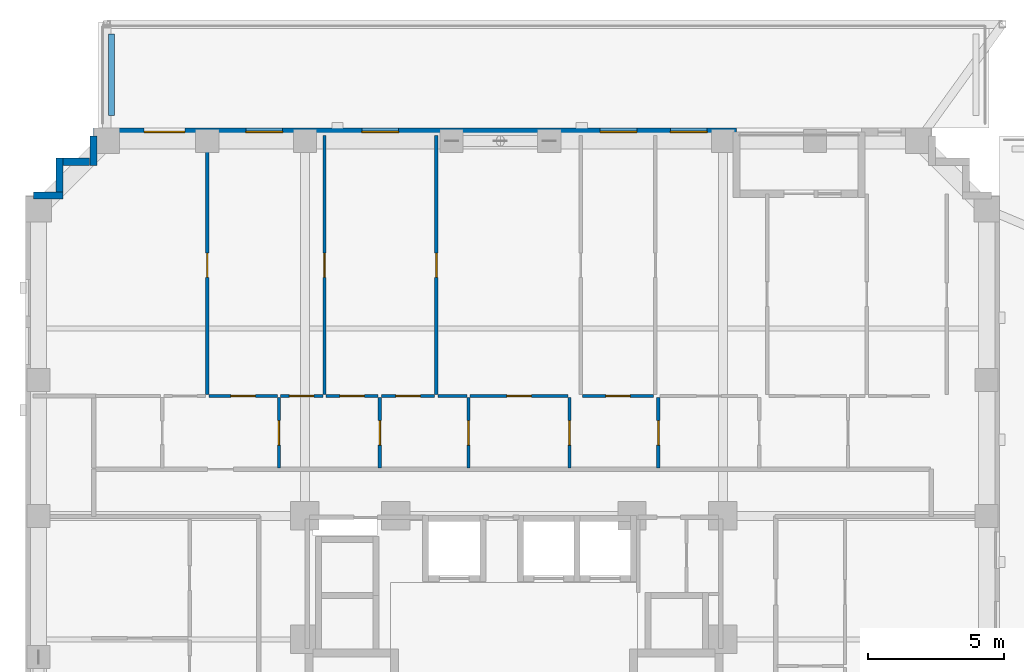
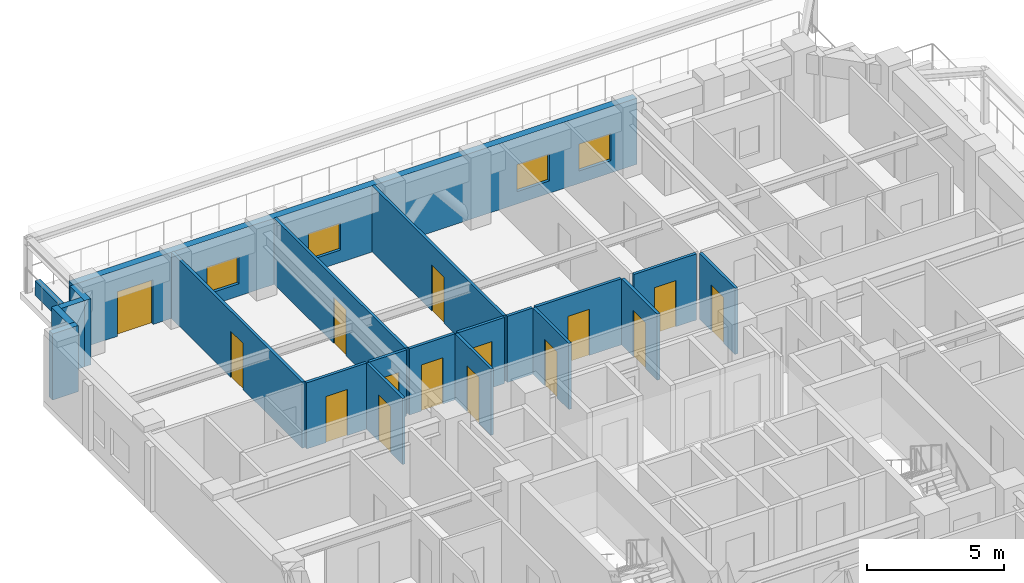
# One storey, part 11 of 16: 21 walls, 15 doors, 4 windows, 19 openings.
"""IFC4 building model written with IfcOpenShell, lengths in metres."""

from ifc_helpers import new_model, si_unit, derived_unit, direction, frame, frame_2d, origin, place, context, subcontext, project, spatial, rectangle, extrude, material, layer, layer_set, type_object, element, fill, save


model = new_model("IFC4")

# Units and contexts
model_context = context("Model", 3, precision=1e-05, world=origin(), true_north=direction((0.0, 1.0)))
body_context = subcontext(model_context, "Body", "Model", "MODEL_VIEW")
ifc_project = project(units=[si_unit("LENGTHUNIT", "METRE"), si_unit("AREAUNIT", "SQUARE_METRE"), si_unit("VOLUMEUNIT", "CUBIC_METRE"), si_unit("PLANEANGLEUNIT", "RADIAN"), si_unit("MASSUNIT", "GRAM", prefix="KILO"), derived_unit("THERMALTRANSMITTANCEUNIT", [(si_unit("MASSUNIT", "GRAM", prefix="KILO"), 1), (si_unit("TIMEUNIT", "SECOND"), -3), (si_unit("THERMODYNAMICTEMPERATUREUNIT", "KELVIN"), -1)])], contexts=[model_context])

# Site, building, storey
site_placement = place(None, origin())
site = spatial("IfcSite", under=ifc_project, at=site_placement, CompositionType="ELEMENT")
building_placement = place(site_placement, origin())
building = spatial("IfcBuilding", under=site, at=building_placement, Name="Korrvale Station Residences", CompositionType="ELEMENT")
storey_placement = place(building_placement, frame((0.0, 0.0, 75.10009765625)))
storey = spatial("IfcBuildingStorey", under=building, at=storey_placement, Name="L20", CompositionType="ELEMENT", Elevation=75.10009765625)

# Walls
ifc_material_1 = material(Name="Precast concrete C45/55", Category="concrete")
ifc_layer_1 = layer(ifc_material_1, 0.260009765625, Name="Precast concrete C45/55")
ifc_layer_set_1 = layer_set([ifc_layer_1], Name="Precast concrete C45/55")
wall_type_1 = type_object("IfcWallType", Name="WAL-EXT-LOG260", PredefinedType="SOLIDWALL", material=ifc_layer_set_1)
wall_1_placement = place(storey_placement, frame((7.802001953125, 40.800048828125, 0.0), z_axis=(0.0, 0.0, 1.0), x_axis=(1.0, 0.0, 0.0)))
element("IfcWall", 1, at=wall_1_placement, inside=storey, type_object=wall_type_1, Name="L20 Serrated Corner Precast Step NW-1", PredefinedType="SOLIDWALL", context=body_context, shape_type="SweptSolid", body=[
    extrude(rectangle(XDim=1.077880859375, YDim=0.260009765625, at=frame_2d((0.5390625, 0.0))), origin(), (0.0, 0.0, 1.0), 2.93994140625),
])
wall_2_placement = place(storey_placement, frame((8.75, 40.931884765625, 0.0), z_axis=(0.0, 0.0, 1.0), x_axis=(0.0, 1.0, 0.0)))
element("IfcWall", 2, at=wall_2_placement, inside=storey, type_object=wall_type_1, Name="L20 Serrated Corner Precast Step NW-2", PredefinedType="SOLIDWALL", context=body_context, shape_type="SweptSolid", body=[
    extrude(rectangle(XDim=1.248046875, YDim=0.260009765625, at=frame_2d((0.6240234375, 0.0))), origin(), (0.0, 0.0, 1.0), 2.93994140625),
])
wall_3_placement = place(storey_placement, frame((8.882080078125, 42.050048828125, 0.0), z_axis=(0.0, 0.0, 1.0), x_axis=(1.0, 0.0, 0.0)))
element("IfcWall", 3, at=wall_3_placement, inside=storey, type_object=wall_type_1, Name="L20 Serrated Corner Precast Step NW-3", PredefinedType="SOLIDWALL", context=body_context, shape_type="SweptSolid", body=[
    extrude(rectangle(XDim=0.98583984375, YDim=0.260009765625, at=frame_2d((0.492919921875, 0.0))), origin(), (0.0, 0.0, 1.0), 2.93994140625),
])
wall_4_placement = place(storey_placement, frame((10.0, 41.919921875, 0.0), z_axis=(0.0, 0.0, 1.0), x_axis=(0.0, 1.0, 0.0)))
element("IfcWall", 4, at=wall_4_placement, inside=storey, type_object=wall_type_1, Name="L20 Serrated Corner Precast Step NW-4", PredefinedType="SOLIDWALL", context=body_context, shape_type="SweptSolid", body=[
    extrude(rectangle(XDim=1.078125, YDim=0.260009765625, at=frame_2d((0.5390625, 0.0))), origin(), (0.0, 0.0, 1.0), 2.93994140625),
])

# Wall, openings, door, windows
ifc_layer_2 = layer(ifc_material_1, 0.300048828125, Name="Precast concrete C45/55")
ifc_layer_set_2 = layer_set([ifc_layer_2], Name="Precast concrete C45/55")
wall_type_2 = type_object("IfcWallType", Name="WAL-EXT-PC300", PredefinedType="SOLIDWALL", material=ifc_layer_set_2)
wall_5_placement = place(storey_placement, frame((10.0, 43.14990234375, 0.0), z_axis=(0.0, 0.0, 1.0), x_axis=(1.0, 0.0, 0.0)))
wall_5 = element("IfcWall", 5, at=wall_5_placement, inside=storey, type_object=wall_type_2, Name="L20 North Exterior Precast Wall 1", PredefinedType="SOLIDWALL", context=body_context, shape_type="SweptSolid", body=[
    extrude(rectangle(XDim=23.699951171875, YDim=0.300048828125, at=frame_2d((11.85009765625, 0.0))), origin(), (0.0, 0.0, 1.0), 2.93994140625),
])
opening_1_placement = place(wall_5_placement, frame((1.875, 0.0, 0.0)))
opening_1 = element("IfcOpeningElement", 6, at=opening_1_placement, cuts=wall_5, Name="Opening TD-01", PredefinedType="OPENING", context=body_context, shape_type="SweptSolid", body=[
    extrude(rectangle(XDim=1.5, YDim=1.98193359375, at=frame_2d((0.75, 0.990966796875))), frame((0.0, 0.16015625, 0.0), z_axis=(0.0, -1.0, 0.0), x_axis=(1.0, 0.0, 0.0)), (0.0, 0.0, 1.0), 0.320068359375),
])
opening_2_placement = place(wall_5_placement, frame((5.625, 0.0, 0.550048828125)))
opening_2 = element("IfcOpeningElement", 7, at=opening_2_placement, cuts=wall_5, Name="Opening W-10", PredefinedType="OPENING", context=body_context, shape_type="SweptSolid", body=[
    extrude(rectangle(XDim=1.35009765625, YDim=1.199951171875, at=frame_2d((0.675048828125, 0.60009765625))), frame((0.0, 0.16015625, 0.0), z_axis=(0.0, -1.0, 0.0), x_axis=(1.0, 0.0, 0.0)), (0.0, 0.0, 1.0), 0.320068359375),
])
opening_3_placement = place(wall_5_placement, frame((9.89990234375, 0.0, 0.550048828125)))
opening_3 = element("IfcOpeningElement", 8, at=opening_3_placement, cuts=wall_5, Name="Opening W-10", PredefinedType="OPENING", context=body_context, shape_type="SweptSolid", body=[
    extrude(rectangle(XDim=1.35009765625, YDim=1.199951171875, at=frame_2d((0.675048828125, 0.60009765625))), frame((0.0, 0.16015625, 0.0), z_axis=(0.0, -1.0, 0.0), x_axis=(1.0, 0.0, 0.0)), (0.0, 0.0, 1.0), 0.320068359375),
])
opening_4_placement = place(wall_5_placement, frame((18.675048828125, 0.0, 0.550048828125)))
opening_4 = element("IfcOpeningElement", 9, at=opening_4_placement, cuts=wall_5, Name="Opening W-10", PredefinedType="OPENING", context=body_context, shape_type="SweptSolid", body=[
    extrude(rectangle(XDim=1.35009765625, YDim=1.199951171875, at=frame_2d((0.675048828125, 0.60009765625))), frame((0.0, 0.16015625, 0.0), z_axis=(0.0, -1.0, 0.0), x_axis=(1.0, 0.0, 0.0)), (0.0, 0.0, 1.0), 0.320068359375),
])
opening_5_placement = place(wall_5_placement, frame((21.264892578125, 0.0, 0.550048828125)))
opening_5 = element("IfcOpeningElement", 10, at=opening_5_placement, cuts=wall_5, Name="Opening W-10", PredefinedType="OPENING", context=body_context, shape_type="SweptSolid", body=[
    extrude(rectangle(XDim=1.35009765625, YDim=1.199951171875, at=frame_2d((0.675048828125, 0.60009765625))), frame((0.0, 0.16015625, 0.0), z_axis=(0.0, -1.0, 0.0), x_axis=(1.0, 0.0, 0.0)), (0.0, 0.0, 1.0), 0.320068359375),
])
ifc_material_2 = material(Name="Exterior thermally broken aluminium glazed terrace double door", Category="aluminium")
door_type_1 = type_object("IfcDoorType", Name="DR-EXT-TER", OperationType="DOUBLE_SWING_LEFT", PredefinedType="DOOR", material=ifc_material_2)
door_1_placement = place(opening_1_placement, origin())
door_1 = element("IfcDoor", 11, at=door_1_placement, inside=storey, type_object=door_type_1, Name="L20 North Setback Terrace Door", OperationType="DOUBLE_SWING_LEFT", OverallHeight=1.98193359375, OverallWidth=1.5, PredefinedType="DOOR", context=body_context, shape_type="SweptSolid", body=[
    extrude(rectangle(XDim=1.5, YDim=1.98193359375, at=frame_2d((0.75, 0.990966796875))), frame((0.0, 0.02490234375, 0.0), z_axis=(0.0, -1.0, 0.0), x_axis=(1.0, 0.0, 0.0)), (0.0, 0.0, 1.0), 0.050048828125),
])
fill(opening_1, door_1)
ifc_material_3 = material(Name="Thermally broken aluminium frame with triple low-e glazing", Category="aluminium")
window_type = type_object("IfcWindowType", Name="WIN-W10", PartitioningType="SINGLE_PANEL", PredefinedType="WINDOW", material=ifc_material_3)
window_1_placement = place(opening_2_placement, origin())
window_1 = element("IfcWindow", 12, at=window_1_placement, inside=storey, type_object=window_type, Name="L20 Punched Window 12", OverallHeight=1.199951171875, OverallWidth=1.35009765625, PartitioningType="SINGLE_PANEL", PredefinedType="WINDOW", context=body_context, shape_type="SweptSolid", body=[
    extrude(rectangle(XDim=1.35009765625, YDim=1.199951171875, at=frame_2d((0.675048828125, 0.60009765625))), frame((0.0, 0.030029296875, 0.0), z_axis=(0.0, -1.0, 0.0), x_axis=(1.0, 0.0, 0.0)), (0.0, 0.0, 1.0), 0.06005859375),
])
fill(opening_2, window_1)
window_2_placement = place(opening_3_placement, origin())
window_2 = element("IfcWindow", 13, at=window_2_placement, inside=storey, type_object=window_type, Name="L20 Punched Window 13", OverallHeight=1.199951171875, OverallWidth=1.35009765625, PartitioningType="SINGLE_PANEL", PredefinedType="WINDOW", context=body_context, shape_type="SweptSolid", body=[
    extrude(rectangle(XDim=1.35009765625, YDim=1.199951171875, at=frame_2d((0.675048828125, 0.60009765625))), frame((0.0, 0.030029296875, 0.0), z_axis=(0.0, -1.0, 0.0), x_axis=(1.0, 0.0, 0.0)), (0.0, 0.0, 1.0), 0.06005859375),
])
fill(opening_3, window_2)
window_3_placement = place(opening_4_placement, origin())
window_3 = element("IfcWindow", 14, at=window_3_placement, inside=storey, type_object=window_type, Name="L20 Punched Window 14", OverallHeight=1.199951171875, OverallWidth=1.35009765625, PartitioningType="SINGLE_PANEL", PredefinedType="WINDOW", context=body_context, shape_type="SweptSolid", body=[
    extrude(rectangle(XDim=1.35009765625, YDim=1.199951171875, at=frame_2d((0.675048828125, 0.60009765625))), frame((0.0, 0.030029296875, 0.0), z_axis=(0.0, -1.0, 0.0), x_axis=(1.0, 0.0, 0.0)), (0.0, 0.0, 1.0), 0.06005859375),
])
fill(opening_4, window_3)
window_4_placement = place(opening_5_placement, origin())
window_4 = element("IfcWindow", 15, at=window_4_placement, inside=storey, type_object=window_type, Name="L20 Punched Window 15", OverallHeight=1.199951171875, OverallWidth=1.35009765625, PartitioningType="SINGLE_PANEL", PredefinedType="WINDOW", context=body_context, shape_type="SweptSolid", body=[
    extrude(rectangle(XDim=1.35009765625, YDim=1.199951171875, at=frame_2d((0.675048828125, 0.60009765625))), frame((0.0, 0.030029296875, 0.0), z_axis=(0.0, -1.0, 0.0), x_axis=(1.0, 0.0, 0.0)), (0.0, 0.0, 1.0), 0.06005859375),
])
fill(opening_5, window_4)

# Wall
ifc_layer_3 = layer(ifc_material_1, 0.219970703125, Name="Precast concrete C45/55")
ifc_layer_set_3 = layer_set([ifc_layer_3], Name="Precast concrete C45/55")
wall_type_3 = type_object("IfcWallType", Name="WAL-PAR-220", PredefinedType="PARAPET", material=ifc_layer_set_3)
wall_6_placement = place(storey_placement, frame((10.679931640625, 43.75, 0.0), z_axis=(0.0, 0.0, 1.0), x_axis=(0.0, 1.0, 0.0)))
element("IfcWall", 16, at=wall_6_placement, inside=storey, type_object=wall_type_3, Name="L20 Terrace Planter Parapet TER-L20-N-W", PredefinedType="PARAPET", context=body_context, shape_type="SweptSolid", body=[
    extrude(rectangle(XDim=3.0, YDim=0.219970703125, at=frame_2d((1.5, 0.0))), origin(), (0.0, 0.0, 1.0), 0.64990234375),
])

# Wall, opening, door
ifc_material_4 = material(Name="Acoustic steel-stud gypsum board partition", Category="steel")
ifc_layer_4 = layer(ifc_material_4, 0.1201171875, Name="Acoustic steel-stud gypsum board partition")
ifc_layer_set_4 = layer_set([ifc_layer_4], Name="Acoustic steel-stud gypsum board partition")
wall_type_4 = type_object("IfcWallType", Name="WAL-PART-125", PredefinedType="PARTITIONING", material=ifc_layer_set_4)
wall_7_placement = place(storey_placement, frame((16.840087890625, 30.760009765625, 0.0), z_axis=(0.0, 0.0, 1.0), x_axis=(0.0, 1.0, 0.0)))
wall_7 = element("IfcWall", 17, at=wall_7_placement, inside=storey, type_object=wall_type_4, Name="L20 Suite Partition U04-V12", PredefinedType="PARTITIONING", context=body_context, shape_type="SweptSolid", body=[
    extrude(rectangle(XDim=2.60009765625, YDim=0.1201171875, at=frame_2d((1.300048828125, 0.0))), origin(), (0.0, 0.0, 1.0), 2.93994140625),
])
opening_6_placement = place(wall_7_placement, frame((0.85009765625, 0.0, 0.0)))
opening_6 = element("IfcOpeningElement", 18, at=opening_6_placement, cuts=wall_7, Name="Opening DI-900", PredefinedType="OPENING", context=body_context, shape_type="SweptSolid", body=[
    extrude(rectangle(XDim=0.89990234375, YDim=2.050048828125, at=frame_2d((0.449951171875, 1.02490234375))), frame((0.0, 0.070068359375, 0.0), z_axis=(0.0, -1.0, 0.0), x_axis=(1.0, 0.0, 0.0)), (0.0, 0.0, 1.0), 0.14013671875),
])
ifc_material_5 = material(Name="Painted solid-core timber interior room door", Category="wood")
door_type_2 = type_object("IfcDoorType", Name="DR-INT-900", OperationType="NOTDEFINED", PredefinedType="DOOR", material=ifc_material_5)
door_2_placement = place(opening_6_placement, origin())
door_2 = element("IfcDoor", 19, at=door_2_placement, inside=storey, type_object=door_type_2, Name="L20 Apartment 3BR L20-U04 Kitchen Door", OperationType="SINGLE_SWING_LEFT", OverallHeight=2.050048828125, OverallWidth=0.89990234375, PredefinedType="DOOR", context=body_context, shape_type="SweptSolid", body=[
    extrude(rectangle(XDim=0.89990234375, YDim=2.050048828125, at=frame_2d((0.449951171875, 1.02490234375))), frame((0.0, 0.02490234375, 0.0), z_axis=(0.0, -1.0, 0.0), x_axis=(1.0, 0.0, 0.0)), (0.0, 0.0, 1.0), 0.050048828125),
])
fill(opening_6, door_2)

wall_8_placement = place(storey_placement, frame((14.260009765625, 33.419921875, 0.0), z_axis=(0.0, 0.0, 1.0), x_axis=(1.0, 0.0, 0.0)))
wall_8 = element("IfcWall", 20, at=wall_8_placement, inside=storey, type_object=wall_type_4, Name="L20 Suite Partition U04-H110", PredefinedType="PARTITIONING", context=body_context, shape_type="SweptSolid", body=[
    extrude(rectangle(XDim=2.52001953125, YDim=0.1201171875, at=frame_2d((1.260009765625, 0.0))), origin(), (0.0, 0.0, 1.0), 2.93994140625),
])
opening_7_placement = place(wall_8_placement, frame((0.81005859375, 0.0, 0.0)))
opening_7 = element("IfcOpeningElement", 21, at=opening_7_placement, cuts=wall_8, Name="Opening DI-900", PredefinedType="OPENING", context=body_context, shape_type="SweptSolid", body=[
    extrude(rectangle(XDim=0.89990234375, YDim=2.050048828125, at=frame_2d((0.449951171875, 1.02490234375))), frame((0.0, 0.070068359375, 0.0), z_axis=(0.0, -1.0, 0.0), x_axis=(1.0, 0.0, 0.0)), (0.0, 0.0, 1.0), 0.14013671875),
])
door_3_placement = place(opening_7_placement, origin())
door_3 = element("IfcDoor", 22, at=door_3_placement, inside=storey, type_object=door_type_2, Name="L20 Apartment 3BR L20-U04 Kitchen Door", OperationType="SINGLE_SWING_LEFT", OverallHeight=2.050048828125, OverallWidth=0.89990234375, PredefinedType="DOOR", context=body_context, shape_type="SweptSolid", body=[
    extrude(rectangle(XDim=0.89990234375, YDim=2.050048828125, at=frame_2d((0.449951171875, 1.02490234375))), frame((0.0, 0.02490234375, 0.0), z_axis=(0.0, -1.0, 0.0), x_axis=(1.0, 0.0, 0.0)), (0.0, 0.0, 1.0), 0.050048828125),
])
fill(opening_7, door_3)

wall_9_placement = place(storey_placement, frame((20.56005859375, 30.760009765625, 0.0), z_axis=(0.0, 0.0, 1.0), x_axis=(0.0, 1.0, 0.0)))
wall_9 = element("IfcWall", 23, at=wall_9_placement, inside=storey, type_object=wall_type_4, Name="L20 Suite Partition U04-V23", PredefinedType="PARTITIONING", context=body_context, shape_type="SweptSolid", body=[
    extrude(rectangle(XDim=2.60009765625, YDim=0.1201171875, at=frame_2d((1.300048828125, 0.0))), origin(), (0.0, 0.0, 1.0), 2.93994140625),
])
opening_8_placement = place(wall_9_placement, frame((0.85009765625, 0.0, 0.0)))
opening_8 = element("IfcOpeningElement", 24, at=opening_8_placement, cuts=wall_9, Name="Opening DI-900", PredefinedType="OPENING", context=body_context, shape_type="SweptSolid", body=[
    extrude(rectangle(XDim=0.89990234375, YDim=2.050048828125, at=frame_2d((0.449951171875, 1.02490234375))), frame((0.0, 0.070068359375, 0.0), z_axis=(0.0, -1.0, 0.0), x_axis=(1.0, 0.0, 0.0)), (0.0, 0.0, 1.0), 0.14013671875),
])
door_4_placement = place(opening_8_placement, origin())
door_4 = element("IfcDoor", 25, at=door_4_placement, inside=storey, type_object=door_type_2, Name="L20 Apartment 3BR L20-U04 Utility and Laundry Room Door", OperationType="SINGLE_SWING_RIGHT", OverallHeight=2.050048828125, OverallWidth=0.89990234375, PredefinedType="DOOR", context=body_context, shape_type="SweptSolid", body=[
    extrude(rectangle(XDim=0.89990234375, YDim=2.050048828125, at=frame_2d((0.449951171875, 1.02490234375))), frame((0.0, 0.02490234375, 0.0), z_axis=(0.0, -1.0, 0.0), x_axis=(1.0, 0.0, 0.0)), (0.0, 0.0, 1.0), 0.050048828125),
])
fill(opening_8, door_4)

wall_10_placement = place(storey_placement, frame((16.89990234375, 33.419921875, 0.0), z_axis=(0.0, 0.0, 1.0), x_axis=(1.0, 0.0, 0.0)))
wall_10 = element("IfcWall", 26, at=wall_10_placement, inside=storey, type_object=wall_type_4, Name="L20 Suite Partition U04-H210", PredefinedType="PARTITIONING", context=body_context, shape_type="SweptSolid", body=[
    extrude(rectangle(XDim=1.56005859375, YDim=0.1201171875, at=frame_2d((0.780029296875, 0.0))), origin(), (0.0, 0.0, 1.0), 2.93994140625),
])
opening_9_placement = place(wall_10_placement, frame((0.330078125, 0.0, 0.0)))
opening_9 = element("IfcOpeningElement", 27, at=opening_9_placement, cuts=wall_10, Name="Opening DI-900", PredefinedType="OPENING", context=body_context, shape_type="SweptSolid", body=[
    extrude(rectangle(XDim=0.89990234375, YDim=2.050048828125, at=frame_2d((0.449951171875, 1.02490234375))), frame((0.0, 0.070068359375, 0.0), z_axis=(0.0, -1.0, 0.0), x_axis=(1.0, 0.0, 0.0)), (0.0, 0.0, 1.0), 0.14013671875),
])
door_5_placement = place(opening_9_placement, origin())
door_5 = element("IfcDoor", 28, at=door_5_placement, inside=storey, type_object=door_type_2, Name="L20 Apartment 3BR L20-U04 Utility and Laundry Room Door", OperationType="SINGLE_SWING_LEFT", OverallHeight=2.050048828125, OverallWidth=0.89990234375, PredefinedType="DOOR", context=body_context, shape_type="SweptSolid", body=[
    extrude(rectangle(XDim=0.89990234375, YDim=2.050048828125, at=frame_2d((0.449951171875, 1.02490234375))), frame((0.0, 0.02490234375, 0.0), z_axis=(0.0, -1.0, 0.0), x_axis=(1.0, 0.0, 0.0)), (0.0, 0.0, 1.0), 0.050048828125),
])
fill(opening_9, door_5)

wall_11_placement = place(storey_placement, frame((18.580078125, 33.419921875, 0.0), z_axis=(0.0, 0.0, 1.0), x_axis=(1.0, 0.0, 0.0)))
wall_11 = element("IfcWall", 29, at=wall_11_placement, inside=storey, type_object=wall_type_4, Name="L20 Suite Partition U04-H211", PredefinedType="PARTITIONING", context=body_context, shape_type="SweptSolid", body=[
    extrude(rectangle(XDim=1.919921875, YDim=0.1201171875, at=frame_2d((0.9599609375, 0.0))), origin(), (0.0, 0.0, 1.0), 2.93994140625),
])
opening_10_placement = place(wall_11_placement, frame((0.510009765625, 0.0, 0.0)))
opening_10 = element("IfcOpeningElement", 30, at=opening_10_placement, cuts=wall_11, Name="Opening DI-900", PredefinedType="OPENING", context=body_context, shape_type="SweptSolid", body=[
    extrude(rectangle(XDim=0.89990234375, YDim=2.050048828125, at=frame_2d((0.449951171875, 1.02490234375))), frame((0.0, 0.070068359375, 0.0), z_axis=(0.0, -1.0, 0.0), x_axis=(1.0, 0.0, 0.0)), (0.0, 0.0, 1.0), 0.14013671875),
])
door_6_placement = place(opening_10_placement, origin())
door_6 = element("IfcDoor", 31, at=door_6_placement, inside=storey, type_object=door_type_2, Name="L20 Apartment 3BR L20-U04 Utility and Laundry Room Door", OperationType="SINGLE_SWING_RIGHT", OverallHeight=2.050048828125, OverallWidth=0.89990234375, PredefinedType="DOOR", context=body_context, shape_type="SweptSolid", body=[
    extrude(rectangle(XDim=0.89990234375, YDim=2.050048828125, at=frame_2d((0.449951171875, 1.02490234375))), frame((0.0, 0.02490234375, 0.0), z_axis=(0.0, -1.0, 0.0), x_axis=(1.0, 0.0, 0.0)), (0.0, 0.0, 1.0), 0.050048828125),
])
fill(opening_10, door_6)

wall_12_placement = place(storey_placement, frame((23.830078125, 30.760009765625, 0.0), z_axis=(0.0, 0.0, 1.0), x_axis=(0.0, 1.0, 0.0)))
wall_12 = element("IfcWall", 32, at=wall_12_placement, inside=storey, type_object=wall_type_4, Name="L20 Suite Partition U04-V34", PredefinedType="PARTITIONING", context=body_context, shape_type="SweptSolid", body=[
    extrude(rectangle(XDim=2.60009765625, YDim=0.1201171875, at=frame_2d((1.300048828125, 0.0))), origin(), (0.0, 0.0, 1.0), 2.93994140625),
])
opening_11_placement = place(wall_12_placement, frame((0.85009765625, 0.0, 0.0)))
opening_11 = element("IfcOpeningElement", 33, at=opening_11_placement, cuts=wall_12, Name="Opening DI-900", PredefinedType="OPENING", context=body_context, shape_type="SweptSolid", body=[
    extrude(rectangle(XDim=0.89990234375, YDim=2.050048828125, at=frame_2d((0.449951171875, 1.02490234375))), frame((0.0, 0.070068359375, 0.0), z_axis=(0.0, -1.0, 0.0), x_axis=(1.0, 0.0, 0.0)), (0.0, 0.0, 1.0), 0.14013671875),
])
door_7_placement = place(opening_11_placement, origin())
door_7 = element("IfcDoor", 34, at=door_7_placement, inside=storey, type_object=door_type_2, Name="L20 Apartment 3BR L20-U04 Storage Closet 2 Door", OperationType="SINGLE_SWING_LEFT", OverallHeight=2.050048828125, OverallWidth=0.89990234375, PredefinedType="DOOR", context=body_context, shape_type="SweptSolid", body=[
    extrude(rectangle(XDim=0.89990234375, YDim=2.050048828125, at=frame_2d((0.449951171875, 1.02490234375))), frame((0.0, 0.02490234375, 0.0), z_axis=(0.0, -1.0, 0.0), x_axis=(1.0, 0.0, 0.0)), (0.0, 0.0, 1.0), 0.050048828125),
])
fill(opening_11, door_7)

wall_13_placement = place(storey_placement, frame((20.6201171875, 33.419921875, 0.0), z_axis=(0.0, 0.0, 1.0), x_axis=(1.0, 0.0, 0.0)))
wall_13 = element("IfcWall", 35, at=wall_13_placement, inside=storey, type_object=wall_type_4, Name="L20 Suite Partition U04-H311", PredefinedType="PARTITIONING", context=body_context, shape_type="SweptSolid", body=[
    extrude(rectangle(XDim=1.9599609375, YDim=0.1201171875, at=frame_2d((0.97998046875, 0.0))), origin(), (0.0, 0.0, 1.0), 2.93994140625),
])
opening_12_placement = place(wall_13_placement, frame((0.530029296875, 0.0, 0.0)))
opening_12 = element("IfcOpeningElement", 36, at=opening_12_placement, cuts=wall_13, Name="Opening DI-900", PredefinedType="OPENING", context=body_context, shape_type="SweptSolid", body=[
    extrude(rectangle(XDim=0.89990234375, YDim=2.050048828125, at=frame_2d((0.449951171875, 1.02490234375))), frame((0.0, 0.070068359375, 0.0), z_axis=(0.0, -1.0, 0.0), x_axis=(1.0, 0.0, 0.0)), (0.0, 0.0, 1.0), 0.14013671875),
])
door_8_placement = place(opening_12_placement, origin())
door_8 = element("IfcDoor", 37, at=door_8_placement, inside=storey, type_object=door_type_2, Name="L20 Apartment 3BR L20-U04 Storage Closet 2 Door", OperationType="SINGLE_SWING_RIGHT", OverallHeight=2.050048828125, OverallWidth=0.89990234375, PredefinedType="DOOR", context=body_context, shape_type="SweptSolid", body=[
    extrude(rectangle(XDim=0.89990234375, YDim=2.050048828125, at=frame_2d((0.449951171875, 1.02490234375))), frame((0.0, 0.02490234375, 0.0), z_axis=(0.0, -1.0, 0.0), x_axis=(1.0, 0.0, 0.0)), (0.0, 0.0, 1.0), 0.050048828125),
])
fill(opening_12, door_8)

# Wall
wall_14_placement = place(storey_placement, frame((22.699951171875, 33.419921875, 0.0), z_axis=(0.0, 0.0, 1.0), x_axis=(1.0, 0.0, 0.0)))
element("IfcWall", 38, at=wall_14_placement, inside=storey, type_object=wall_type_4, Name="L20 Suite Partition U04-H312", PredefinedType="PARTITIONING", context=body_context, shape_type="SweptSolid", body=[
    extrude(rectangle(XDim=1.070068359375, YDim=0.1201171875, at=frame_2d((0.53515625, 0.0))), origin(), (0.0, 0.0, 1.0), 2.93994140625),
])

# Wall, opening, door
wall_15_placement = place(storey_placement, frame((27.550048828125, 30.760009765625, 0.0), z_axis=(0.0, 0.0, 1.0), x_axis=(0.0, 1.0, 0.0)))
wall_15 = element("IfcWall", 39, at=wall_15_placement, inside=storey, type_object=wall_type_4, Name="L20 Suite Partition U04-V45", PredefinedType="PARTITIONING", context=body_context, shape_type="SweptSolid", body=[
    extrude(rectangle(XDim=2.60009765625, YDim=0.1201171875, at=frame_2d((1.300048828125, 0.0))), origin(), (0.0, 0.0, 1.0), 2.93994140625),
])
opening_13_placement = place(wall_15_placement, frame((0.85009765625, 0.0, 0.0)))
opening_13 = element("IfcOpeningElement", 40, at=opening_13_placement, cuts=wall_15, Name="Opening DI-900", PredefinedType="OPENING", context=body_context, shape_type="SweptSolid", body=[
    extrude(rectangle(XDim=0.89990234375, YDim=2.050048828125, at=frame_2d((0.449951171875, 1.02490234375))), frame((0.0, 0.070068359375, 0.0), z_axis=(0.0, -1.0, 0.0), x_axis=(1.0, 0.0, 0.0)), (0.0, 0.0, 1.0), 0.14013671875),
])
door_9_placement = place(opening_13_placement, origin())
door_9 = element("IfcDoor", 41, at=door_9_placement, inside=storey, type_object=door_type_2, Name="L20 Apartment 3BR L20-U04 Storage Closet 3 Door", OperationType="SINGLE_SWING_LEFT", OverallHeight=2.050048828125, OverallWidth=0.89990234375, PredefinedType="DOOR", context=body_context, shape_type="SweptSolid", body=[
    extrude(rectangle(XDim=0.89990234375, YDim=2.050048828125, at=frame_2d((0.449951171875, 1.02490234375))), frame((0.0, 0.02490234375, 0.0), z_axis=(0.0, -1.0, 0.0), x_axis=(1.0, 0.0, 0.0)), (0.0, 0.0, 1.0), 0.050048828125),
])
fill(opening_13, door_9)

wall_16_placement = place(storey_placement, frame((23.889892578125, 33.419921875, 0.0), z_axis=(0.0, 0.0, 1.0), x_axis=(1.0, 0.0, 0.0)))
wall_16 = element("IfcWall", 42, at=wall_16_placement, inside=storey, type_object=wall_type_4, Name="L20 Suite Partition U04-H412", PredefinedType="PARTITIONING", context=body_context, shape_type="SweptSolid", body=[
    extrude(rectangle(XDim=3.60009765625, YDim=0.1201171875, at=frame_2d((1.800048828125, 0.0))), origin(), (0.0, 0.0, 1.0), 2.93994140625),
])
opening_14_placement = place(wall_16_placement, frame((1.35009765625, 0.0, 0.0)))
opening_14 = element("IfcOpeningElement", 43, at=opening_14_placement, cuts=wall_16, Name="Opening DI-900", PredefinedType="OPENING", context=body_context, shape_type="SweptSolid", body=[
    extrude(rectangle(XDim=0.89990234375, YDim=2.050048828125, at=frame_2d((0.449951171875, 1.02490234375))), frame((0.0, 0.070068359375, 0.0), z_axis=(0.0, -1.0, 0.0), x_axis=(1.0, 0.0, 0.0)), (0.0, 0.0, 1.0), 0.14013671875),
])
door_10_placement = place(opening_14_placement, origin())
door_10 = element("IfcDoor", 44, at=door_10_placement, inside=storey, type_object=door_type_2, Name="L20 Apartment 3BR L20-U04 Storage Closet 3 Door", OperationType="SINGLE_SWING_RIGHT", OverallHeight=2.050048828125, OverallWidth=0.89990234375, PredefinedType="DOOR", context=body_context, shape_type="SweptSolid", body=[
    extrude(rectangle(XDim=0.89990234375, YDim=2.050048828125, at=frame_2d((0.449951171875, 1.02490234375))), frame((0.0, 0.02490234375, 0.0), z_axis=(0.0, -1.0, 0.0), x_axis=(1.0, 0.0, 0.0)), (0.0, 0.0, 1.0), 0.050048828125),
])
fill(opening_14, door_10)

wall_17_placement = place(storey_placement, frame((30.820068359375, 30.760009765625, 0.0), z_axis=(0.0, 0.0, 1.0), x_axis=(0.0, 1.0, 0.0)))
wall_17 = element("IfcWall", 45, at=wall_17_placement, inside=storey, type_object=wall_type_4, Name="L20 Suite Partition U04-V56", PredefinedType="PARTITIONING", context=body_context, shape_type="SweptSolid", body=[
    extrude(rectangle(XDim=2.60009765625, YDim=0.1201171875, at=frame_2d((1.300048828125, 0.0))), origin(), (0.0, 0.0, 1.0), 2.93994140625),
])
opening_15_placement = place(wall_17_placement, frame((0.85009765625, 0.0, 0.0)))
opening_15 = element("IfcOpeningElement", 46, at=opening_15_placement, cuts=wall_17, Name="Opening DI-900", PredefinedType="OPENING", context=body_context, shape_type="SweptSolid", body=[
    extrude(rectangle(XDim=0.89990234375, YDim=2.050048828125, at=frame_2d((0.449951171875, 1.02490234375))), frame((0.0, 0.070068359375, 0.0), z_axis=(0.0, -1.0, 0.0), x_axis=(1.0, 0.0, 0.0)), (0.0, 0.0, 1.0), 0.14013671875),
])
door_11_placement = place(opening_15_placement, origin())
door_11 = element("IfcDoor", 47, at=door_11_placement, inside=storey, type_object=door_type_2, Name="L20 Apartment 3BR L20-U04 Storage Closet 4 Door", OperationType="SINGLE_SWING_LEFT", OverallHeight=2.050048828125, OverallWidth=0.89990234375, PredefinedType="DOOR", context=body_context, shape_type="SweptSolid", body=[
    extrude(rectangle(XDim=0.89990234375, YDim=2.050048828125, at=frame_2d((0.449951171875, 1.02490234375))), frame((0.0, 0.02490234375, 0.0), z_axis=(0.0, -1.0, 0.0), x_axis=(1.0, 0.0, 0.0)), (0.0, 0.0, 1.0), 0.050048828125),
])
fill(opening_15, door_11)

wall_18_placement = place(storey_placement, frame((28.02001953125, 33.419921875, 0.0), z_axis=(0.0, 0.0, 1.0), x_axis=(1.0, 0.0, 0.0)))
wall_18 = element("IfcWall", 48, at=wall_18_placement, inside=storey, type_object=wall_type_4, Name="L20 Suite Partition U04-H513", PredefinedType="PARTITIONING", context=body_context, shape_type="SweptSolid", body=[
    extrude(rectangle(XDim=2.6298828125, YDim=0.1201171875, at=frame_2d((1.31494140625, 0.0))), origin(), (0.0, 0.0, 1.0), 2.93994140625),
])
opening_16_placement = place(wall_18_placement, frame((0.864990234375, 0.0, 0.0)))
opening_16 = element("IfcOpeningElement", 49, at=opening_16_placement, cuts=wall_18, Name="Opening DI-900", PredefinedType="OPENING", context=body_context, shape_type="SweptSolid", body=[
    extrude(rectangle(XDim=0.89990234375, YDim=2.050048828125, at=frame_2d((0.449951171875, 1.02490234375))), frame((0.0, 0.070068359375, 0.0), z_axis=(0.0, -1.0, 0.0), x_axis=(1.0, 0.0, 0.0)), (0.0, 0.0, 1.0), 0.14013671875),
])
door_12_placement = place(opening_16_placement, origin())
door_12 = element("IfcDoor", 50, at=door_12_placement, inside=storey, type_object=door_type_2, Name="L20 Apartment 3BR L20-U04 Storage Closet 4 Door", OperationType="SINGLE_SWING_RIGHT", OverallHeight=2.050048828125, OverallWidth=0.89990234375, PredefinedType="DOOR", context=body_context, shape_type="SweptSolid", body=[
    extrude(rectangle(XDim=0.89990234375, YDim=2.050048828125, at=frame_2d((0.449951171875, 1.02490234375))), frame((0.0, 0.02490234375, 0.0), z_axis=(0.0, -1.0, 0.0), x_axis=(1.0, 0.0, 0.0)), (0.0, 0.0, 1.0), 0.050048828125),
])
fill(opening_16, door_12)

wall_19_placement = place(storey_placement, frame((14.199951171875, 33.47998046875, 0.0), z_axis=(0.0, 0.0, 1.0), x_axis=(0.0, 1.0, 0.0)))
wall_19 = element("IfcWall", 51, at=wall_19_placement, inside=storey, type_object=wall_type_4, Name="L20 Suite Partition U04-V910", PredefinedType="PARTITIONING", context=body_context, shape_type="SweptSolid", body=[
    extrude(rectangle(XDim=9.5400390625, YDim=0.1201171875, at=frame_2d((4.77001953125, 0.0))), origin(), (0.0, 0.0, 1.0), 2.93994140625),
])
opening_17_placement = place(wall_19_placement, frame((4.304931640625, 0.0, 0.0)))
opening_17 = element("IfcOpeningElement", 52, at=opening_17_placement, cuts=wall_19, Name="Opening DI-900", PredefinedType="OPENING", context=body_context, shape_type="SweptSolid", body=[
    extrude(rectangle(XDim=0.89990234375, YDim=2.050048828125, at=frame_2d((0.449951171875, 1.02490234375))), frame((0.0, 0.070068359375, 0.0), z_axis=(0.0, -1.0, 0.0), x_axis=(1.0, 0.0, 0.0)), (0.0, 0.0, 1.0), 0.14013671875),
])
door_13_placement = place(opening_17_placement, origin())
door_13 = element("IfcDoor", 53, at=door_13_placement, inside=storey, type_object=door_type_2, Name="L20 Apartment 3BR L20-U04 Living and Dining Room Door", OperationType="SINGLE_SWING_RIGHT", OverallHeight=2.050048828125, OverallWidth=0.89990234375, PredefinedType="DOOR", context=body_context, shape_type="SweptSolid", body=[
    extrude(rectangle(XDim=0.89990234375, YDim=2.050048828125, at=frame_2d((0.449951171875, 1.02490234375))), frame((0.0, 0.02490234375, 0.0), z_axis=(0.0, -1.0, 0.0), x_axis=(1.0, 0.0, 0.0)), (0.0, 0.0, 1.0), 0.050048828125),
])
fill(opening_17, door_13)

wall_20_placement = place(storey_placement, frame((18.52001953125, 33.47998046875, 0.0), z_axis=(0.0, 0.0, 1.0), x_axis=(0.0, 1.0, 0.0)))
wall_20 = element("IfcWall", 54, at=wall_20_placement, inside=storey, type_object=wall_type_4, Name="L20 Suite Partition U04-V1011", PredefinedType="PARTITIONING", context=body_context, shape_type="SweptSolid", body=[
    extrude(rectangle(XDim=9.5400390625, YDim=0.1201171875, at=frame_2d((4.77001953125, 0.0))), origin(), (0.0, 0.0, 1.0), 2.93994140625),
])
opening_18_placement = place(wall_20_placement, frame((4.304931640625, 0.0, 0.0)))
opening_18 = element("IfcOpeningElement", 55, at=opening_18_placement, cuts=wall_20, Name="Opening DI-900", PredefinedType="OPENING", context=body_context, shape_type="SweptSolid", body=[
    extrude(rectangle(XDim=0.89990234375, YDim=2.050048828125, at=frame_2d((0.449951171875, 1.02490234375))), frame((0.0, 0.070068359375, 0.0), z_axis=(0.0, -1.0, 0.0), x_axis=(1.0, 0.0, 0.0)), (0.0, 0.0, 1.0), 0.14013671875),
])
door_14_placement = place(opening_18_placement, origin())
door_14 = element("IfcDoor", 56, at=door_14_placement, inside=storey, type_object=door_type_2, Name="L20 Apartment 3BR L20-U04 Family Lounge Room Door", OperationType="SINGLE_SWING_LEFT", OverallHeight=2.050048828125, OverallWidth=0.89990234375, PredefinedType="DOOR", context=body_context, shape_type="SweptSolid", body=[
    extrude(rectangle(XDim=0.89990234375, YDim=2.050048828125, at=frame_2d((0.449951171875, 1.02490234375))), frame((0.0, 0.02490234375, 0.0), z_axis=(0.0, -1.0, 0.0), x_axis=(1.0, 0.0, 0.0)), (0.0, 0.0, 1.0), 0.050048828125),
])
fill(opening_18, door_14)

wall_21_placement = place(storey_placement, frame((22.639892578125, 33.47998046875, 0.0), z_axis=(0.0, 0.0, 1.0), x_axis=(0.0, 1.0, 0.0)))
wall_21 = element("IfcWall", 57, at=wall_21_placement, inside=storey, type_object=wall_type_4, Name="L20 Suite Partition U04-V1112", PredefinedType="PARTITIONING", context=body_context, shape_type="SweptSolid", body=[
    extrude(rectangle(XDim=9.5400390625, YDim=0.1201171875, at=frame_2d((4.77001953125, 0.0))), origin(), (0.0, 0.0, 1.0), 2.93994140625),
])
opening_19_placement = place(wall_21_placement, frame((4.304931640625, 0.0, 0.0)))
opening_19 = element("IfcOpeningElement", 58, at=opening_19_placement, cuts=wall_21, Name="Opening DI-900", PredefinedType="OPENING", context=body_context, shape_type="SweptSolid", body=[
    extrude(rectangle(XDim=0.89990234375, YDim=2.050048828125, at=frame_2d((0.449951171875, 1.02490234375))), frame((0.0, 0.070068359375, 0.0), z_axis=(0.0, -1.0, 0.0), x_axis=(1.0, 0.0, 0.0)), (0.0, 0.0, 1.0), 0.14013671875),
])
door_15_placement = place(opening_19_placement, origin())
door_15 = element("IfcDoor", 59, at=door_15_placement, inside=storey, type_object=door_type_2, Name="L20 Apartment 3BR L20-U04 Family Lounge Room Door", OperationType="SINGLE_SWING_RIGHT", OverallHeight=2.050048828125, OverallWidth=0.89990234375, PredefinedType="DOOR", context=body_context, shape_type="SweptSolid", body=[
    extrude(rectangle(XDim=0.89990234375, YDim=2.050048828125, at=frame_2d((0.449951171875, 1.02490234375))), frame((0.0, 0.02490234375, 0.0), z_axis=(0.0, -1.0, 0.0), x_axis=(1.0, 0.0, 0.0)), (0.0, 0.0, 1.0), 0.050048828125),
])
fill(opening_19, door_15)

save(model, "model.ifc")
